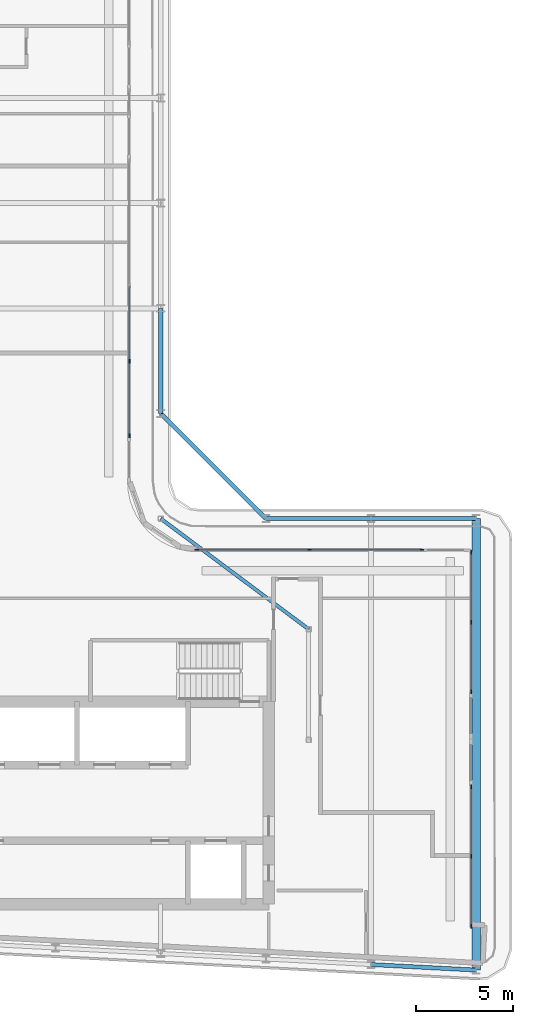
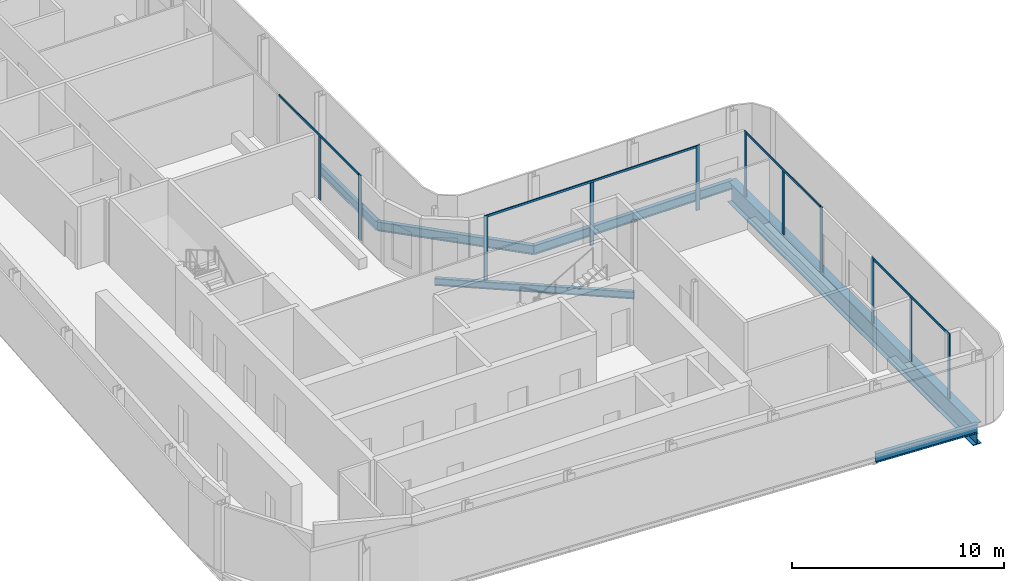
# One storey, part 6 of 21: 15 members, 7 beams, 4 elements without a shape of their own.
"""IFC4 building model written with IfcOpenShell, lengths in metres."""

from ifc_helpers import new_model, si_unit, direction, frame, origin, origin_2d, place, context, subcontext, project, spatial, rectangle, i_section, extrude, material, layer, layer_set, material_profile, profile_set, type_object, element, aggregate, save


model = new_model("IFC4")

# Units and contexts
model_context = context("Model", 3, precision=1e-05, world=origin(), true_north=direction((0.0, 1.0)))
body_context = subcontext(model_context, "Body", "Model", "MODEL_VIEW")
ifc_project = project(units=[si_unit("LENGTHUNIT", "METRE"), si_unit("AREAUNIT", "SQUARE_METRE"), si_unit("VOLUMEUNIT", "CUBIC_METRE"), si_unit("PLANEANGLEUNIT", "RADIAN"), si_unit("MASSUNIT", "GRAM", prefix="KILO")], contexts=[model_context])

# Site, building, storey
site_placement = place(None, origin())
site = spatial("IfcSite", under=ifc_project, at=site_placement, CompositionType="ELEMENT")
building_placement = place(site_placement, origin())
building = spatial("IfcBuilding", under=site, at=building_placement, Name="Kheshtan School and Residences Tower", CompositionType="ELEMENT")
storey_placement = place(building_placement, frame((0.0, 0.0, 278.60009765625)))
storey = spatial("IfcBuildingStorey", under=building, at=storey_placement, Name="L65", CompositionType="ELEMENT", Elevation=278.60009765625)

# Beams
ifc_material_1 = material(Name="Steel ASTM A992 Grade 50", Category="steel")
ifc_material_profile_1 = material_profile(ifc_material_1, i_section(OverallWidth=0.180908203125, OverallDepth=0.4169921875, WebThickness=0.010986328125, FlangeThickness=0.018310546875, FilletRadius=0.012451171875, at=origin_2d()), Name="W410x85")
ifc_profile_set_1 = profile_set([ifc_material_profile_1], Name="Steel ASTM A992 Grade 50")
beam_type_1 = type_object("IfcBeamType", Name="Beam FB3 W410x85 ASTM A992 Grade 50", PredefinedType="BEAM", material=ifc_profile_set_1)
beam_1_placement = place(storey_placement, frame((47.60009765625, 45.60009765625, -0.358642578125), z_axis=(0.800798828004, -0.598933416222, 0.0), x_axis=(0.598933416222, 0.800798828004, 0.0)))
element("IfcBeam", 1, at=beam_1_placement, inside=storey, type_object=beam_type_1, Name="Floor beam IC", PredefinedType="BEAM", context=body_context, shape_type="SweptSolid", body=[
    extrude(i_section(OverallWidth=0.180908203125, OverallDepth=0.4169921875, WebThickness=0.010986328125, FlangeThickness=0.018310546875, FilletRadius=0.012451171875, at=origin_2d()), origin(), (0.0, 0.0, 1.0), 9.490234375),
])
ifc_material_profile_2 = material_profile(ifc_material_1, i_section(OverallWidth=0.208984375, OverallDepth=0.532958984375, WebThickness=0.01025390625, FlangeThickness=0.015625, FilletRadius=0.013916015625, at=origin_2d()), Name="W530x92")
ifc_profile_set_2 = profile_set([ifc_material_profile_2], Name="Steel ASTM A992 Grade 50")
beam_type_2 = type_object("IfcBeamType", Name="Beam SP3 W530x92 ASTM A992 Grade 50", PredefinedType="BEAM", material=ifc_profile_set_2)
beam_2_placement = place(storey_placement, frame((47.60009765625, 56.39990234375, -0.41650390625), z_axis=(0.0, -1.0, 0.0), x_axis=(1.0, 0.0, 0.0)))
element("IfcBeam", 2, at=beam_2_placement, inside=storey, type_object=beam_type_2, Name="Spandrel beam C081-C079", PredefinedType="BEAM", context=body_context, shape_type="SweptSolid", body=[
    extrude(i_section(OverallWidth=0.208984375, OverallDepth=0.532958984375, WebThickness=0.01025390625, FlangeThickness=0.015625, FilletRadius=0.013916015625, at=origin_2d()), origin(), (0.0, 0.0, 1.0), 5.39990234375),
])
beam_3_placement = place(storey_placement, frame((47.60009765625, 51.0, -0.41650390625), z_axis=(0.707106781187, -0.707106781187, 0.0), x_axis=(0.707106781187, 0.707106781187, 0.0)))
element("IfcBeam", 3, at=beam_3_placement, inside=storey, type_object=beam_type_2, Name="Spandrel beam C079-C061", PredefinedType="BEAM", context=body_context, shape_type="SweptSolid", body=[
    extrude(i_section(OverallWidth=0.208984375, OverallDepth=0.532958984375, WebThickness=0.01025390625, FlangeThickness=0.015625, FilletRadius=0.013916015625, at=origin_2d()), origin(), (0.0, 0.0, 1.0), 7.63671875),
])
beam_4_placement = place(storey_placement, frame((53.0, 45.60009765625, -0.41650390625), z_axis=(1.0, 0.0, 0.0), x_axis=(0.0, 1.0, 0.0)))
element("IfcBeam", 4, at=beam_4_placement, inside=storey, type_object=beam_type_2, Name="Spandrel beam C061-C062", PredefinedType="BEAM", context=body_context, shape_type="SweptSolid", body=[
    extrude(i_section(OverallWidth=0.208984375, OverallDepth=0.532958984375, WebThickness=0.01025390625, FlangeThickness=0.015625, FilletRadius=0.013916015625, at=origin_2d()), origin(), (0.0, 0.0, 1.0), 5.39990234375),
])
beam_5_placement = place(storey_placement, frame((58.39990234375, 45.60009765625, -0.41650390625), z_axis=(1.0, 0.0, 0.0), x_axis=(0.0, 1.0, 0.0)))
element("IfcBeam", 5, at=beam_5_placement, inside=storey, type_object=beam_type_2, Name="Spandrel beam C062-C063", PredefinedType="BEAM", context=body_context, shape_type="SweptSolid", body=[
    extrude(i_section(OverallWidth=0.208984375, OverallDepth=0.532958984375, WebThickness=0.01025390625, FlangeThickness=0.015625, FilletRadius=0.013916015625, at=origin_2d()), origin(), (0.0, 0.0, 1.0), 5.400146484375),
])
beam_6_placement = place(storey_placement, frame((63.800048828125, 22.410888671875, -0.41650390625), z_axis=(-0.998618203458, 0.052551724256, 0.0), x_axis=(-0.052551724256, -0.998618203458, 0.0)))
element("IfcBeam", 6, at=beam_6_placement, inside=storey, type_object=beam_type_2, Name="Spandrel beam C016-C018", PredefinedType="BEAM", context=body_context, shape_type="SweptSolid", body=[
    extrude(i_section(OverallWidth=0.208984375, OverallDepth=0.532958984375, WebThickness=0.01025390625, FlangeThickness=0.015625, FilletRadius=0.013916015625, at=origin_2d()), origin(), (0.0, 0.0, 1.0), 5.40771484375),
])

# Curtain wall, members
ifc_material_2 = material(Name="Clear low-e glass in thermally broken aluminium frame", Category="aluminium")
ifc_layer = layer(ifc_material_2, 0.199951171875)
ifc_layer_set = layer_set([ifc_layer], Name="Curtain wall CW-L")
curtain_wall_type = type_object("IfcCurtainWallType", Name="Curtain wall CW-L", PredefinedType="NOTDEFINED", material=ifc_layer_set)
curtain_wall_1_placement = place(storey_placement, origin())
curtain_wall_1 = element("IfcCurtainWall", 7, at=curtain_wall_1_placement, inside=storey, type_object=curtain_wall_type, Name="Curtain wall CWL8", PredefinedType="NOTDEFINED")
ifc_material_3 = material(Name="Thermally broken aluminium, dark bronze anodised", Category="aluminium")
ifc_material_profile_3 = material_profile(ifc_material_3, rectangle(XDim=0.06005859375, YDim=0.199951171875, at=origin_2d()), Name="CW-L mullion 60x200")
ifc_profile_set_3 = profile_set([ifc_material_profile_3], Name="Thermally broken aluminium, dark bronze anodised")
member_type_1 = type_object("IfcMemberType", Name="CW-L mullion 60x200", PredefinedType="MULLION", material=ifc_profile_set_3)
member_1_placement = place(storey_placement, frame((46.0, 53.677001953125, 0.0), z_axis=(0.0, 0.0, 1.0), x_axis=(1.0, 0.0, 0.0)))
member_1 = element("IfcMember", 8, at=member_1_placement, type_object=member_type_1, Name="CWL8 mullion 2", PredefinedType="MULLION", context=body_context, shape_type="SweptSolid", body=[
    extrude(rectangle(XDim=0.06005859375, YDim=0.199951171875, at=origin_2d()), origin(), (0.0, 0.0, 1.0), 3.6298828125),
])
member_2_placement = place(storey_placement, frame((46.0, 49.860107421875, 0.0), z_axis=(0.0, 0.0, 1.0), x_axis=(1.0, 0.0, 0.0)))
member_2 = element("IfcMember", 9, at=member_2_placement, type_object=member_type_1, Name="CWL8 mullion 3", PredefinedType="MULLION", context=body_context, shape_type="SweptSolid", body=[
    extrude(rectangle(XDim=0.06005859375, YDim=0.199951171875, at=origin_2d()), origin(), (0.0, 0.0, 1.0), 3.75),
])

curtain_wall_2_placement = place(storey_placement, origin())
curtain_wall_2 = element("IfcCurtainWall", 10, at=curtain_wall_2_placement, inside=storey, type_object=curtain_wall_type, Name="Curtain wall CWL1232", PredefinedType="NOTDEFINED")
member_3_placement = place(storey_placement, frame((49.4599609375, 44.0, 0.0), z_axis=(0.0, 0.0, 1.0), x_axis=(0.0, 1.0, 0.0)))
member_3 = element("IfcMember", 11, at=member_3_placement, type_object=member_type_1, Name="CWL1232 mullion 1", PredefinedType="MULLION", context=body_context, shape_type="SweptSolid", body=[
    extrude(rectangle(XDim=0.06005859375, YDim=0.199951171875, at=origin_2d()), origin(), (0.0, 0.0, 1.0), 3.75),
])
member_4_placement = place(storey_placement, frame((55.239990234375, 44.0, 0.0), z_axis=(0.0, 0.0, 1.0), x_axis=(0.0, 1.0, 0.0)))
member_4 = element("IfcMember", 12, at=member_4_placement, type_object=member_type_1, Name="CWL1232 mullion 2", PredefinedType="MULLION", context=body_context, shape_type="SweptSolid", body=[
    extrude(rectangle(XDim=0.06005859375, YDim=0.199951171875, at=origin_2d()), origin(), (0.0, 0.0, 1.0), 3.6298828125),
])
member_5_placement = place(storey_placement, frame((61.02001953125, 44.0, 0.0), z_axis=(0.0, 0.0, 1.0), x_axis=(0.0, 1.0, 0.0)))
member_5 = element("IfcMember", 13, at=member_5_placement, type_object=member_type_1, Name="CWL1232 mullion 3", PredefinedType="MULLION", context=body_context, shape_type="SweptSolid", body=[
    extrude(rectangle(XDim=0.06005859375, YDim=0.199951171875, at=origin_2d()), origin(), (0.0, 0.0, 1.0), 3.75),
])

curtain_wall_3_placement = place(storey_placement, origin())
curtain_wall_3 = element("IfcCurtainWall", 14, at=curtain_wall_3_placement, inside=storey, type_object=curtain_wall_type, Name="Curtain wall CWL13d", PredefinedType="NOTDEFINED")
member_6_placement = place(storey_placement, frame((63.550048828125, 43.8701171875, 0.0), z_axis=(0.0, 0.0, 1.0), x_axis=(1.0, 0.0, 0.0)))
member_6 = element("IfcMember", 15, at=member_6_placement, type_object=member_type_1, Name="CWL13d mullion 1", PredefinedType="MULLION", context=body_context, shape_type="SweptSolid", body=[
    extrude(rectangle(XDim=0.06005859375, YDim=0.199951171875, at=origin_2d()), origin(), (0.0, 0.0, 1.0), 3.75),
])
member_7_placement = place(storey_placement, frame((63.550048828125, 40.283203125, 0.0), z_axis=(0.0, 0.0, 1.0), x_axis=(1.0, 0.0, 0.0)))
member_7 = element("IfcMember", 16, at=member_7_placement, type_object=member_type_1, Name="CWL13d mullion 2", PredefinedType="MULLION", context=body_context, shape_type="SweptSolid", body=[
    extrude(rectangle(XDim=0.06005859375, YDim=0.199951171875, at=origin_2d()), origin(), (0.0, 0.0, 1.0), 3.6298828125),
])
member_8_placement = place(storey_placement, frame((63.550048828125, 36.696533203125, 0.0), z_axis=(0.0, 0.0, 1.0), x_axis=(1.0, 0.0, 0.0)))
member_8 = element("IfcMember", 17, at=member_8_placement, type_object=member_type_1, Name="CWL13d mullion 3", PredefinedType="MULLION", context=body_context, shape_type="SweptSolid", body=[
    extrude(rectangle(XDim=0.06005859375, YDim=0.199951171875, at=origin_2d()), origin(), (0.0, 0.0, 1.0), 3.75),
])

curtain_wall_4_placement = place(storey_placement, origin())
curtain_wall_4 = element("IfcCurtainWall", 18, at=curtain_wall_4_placement, inside=storey, type_object=curtain_wall_type, Name="Curtain wall CWL13d", PredefinedType="NOTDEFINED")
member_9_placement = place(storey_placement, frame((63.550048828125, 31.83642578125, 0.0), z_axis=(0.0, 0.0, 1.0), x_axis=(1.0, 0.0, 0.0)))
member_9 = element("IfcMember", 19, at=member_9_placement, type_object=member_type_1, Name="CWL13d mullion 1", PredefinedType="MULLION", context=body_context, shape_type="SweptSolid", body=[
    extrude(rectangle(XDim=0.06005859375, YDim=0.199951171875, at=origin_2d()), origin(), (0.0, 0.0, 1.0), 3.75),
])
member_10_placement = place(storey_placement, frame((63.550048828125, 28.249755859375, 0.0), z_axis=(0.0, 0.0, 1.0), x_axis=(1.0, 0.0, 0.0)))
member_10 = element("IfcMember", 20, at=member_10_placement, type_object=member_type_1, Name="CWL13d mullion 2", PredefinedType="MULLION", context=body_context, shape_type="SweptSolid", body=[
    extrude(rectangle(XDim=0.06005859375, YDim=0.199951171875, at=origin_2d()), origin(), (0.0, 0.0, 1.0), 3.6298828125),
])
member_11_placement = place(storey_placement, frame((63.550048828125, 24.6630859375, 0.0), z_axis=(0.0, 0.0, 1.0), x_axis=(1.0, 0.0, 0.0)))
member_11 = element("IfcMember", 21, at=member_11_placement, type_object=member_type_1, Name="CWL13d mullion 3", PredefinedType="MULLION", context=body_context, shape_type="SweptSolid", body=[
    extrude(rectangle(XDim=0.06005859375, YDim=0.199951171875, at=origin_2d()), origin(), (0.0, 0.0, 1.0), 3.75),
])

# Member
ifc_material_profile_4 = material_profile(ifc_material_3, rectangle(XDim=0.06005859375, YDim=0.1201171875, at=origin_2d()), Name="CW-L transom 60x120")
ifc_profile_set_4 = profile_set([ifc_material_profile_4], Name="Thermally broken aluminium, dark bronze anodised")
member_type_2 = type_object("IfcMemberType", Name="CW-L transom 60x120", PredefinedType="USERDEFINED", material=ifc_profile_set_4)
member_12_placement = place(storey_placement, frame((46.0, 57.52392578125, 3.68994140625), z_axis=(0.0, -1.0, 0.0), x_axis=(1.0, 0.0, 0.0)))
member_12 = element("IfcMember", 22, at=member_12_placement, type_object=member_type_2, Name="CWL8 transom 1", ObjectType="TRANSOM", PredefinedType="USERDEFINED", context=body_context, shape_type="SweptSolid", body=[
    extrude(rectangle(XDim=0.06005859375, YDim=0.1201171875, at=origin_2d()), origin(), (0.0, 0.0, 1.0), 7.634033203125),
])

aggregate(curtain_wall_1, [member_1, member_2, member_12])

member_13_placement = place(storey_placement, frame((49.489990234375, 44.0, 3.68994140625), z_axis=(1.0, 0.0, 0.0), x_axis=(0.0, 1.0, 0.0)))
member_13 = element("IfcMember", 23, at=member_13_placement, type_object=member_type_2, Name="CWL1232 transom 1", ObjectType="TRANSOM", PredefinedType="USERDEFINED", context=body_context, shape_type="SweptSolid", body=[
    extrude(rectangle(XDim=0.06005859375, YDim=0.1201171875, at=origin_2d()), origin(), (0.0, 0.0, 1.0), 11.5),
])

aggregate(curtain_wall_2, [member_3, member_4, member_5, member_13])

member_14_placement = place(storey_placement, frame((63.550048828125, 43.840087890625, 3.68994140625), z_axis=(0.0, -1.0, 0.0), x_axis=(1.0, 0.0, 0.0)))
member_14 = element("IfcMember", 24, at=member_14_placement, type_object=member_type_2, Name="CWL13d transom 1", ObjectType="TRANSOM", PredefinedType="USERDEFINED", context=body_context, shape_type="SweptSolid", body=[
    extrude(rectangle(XDim=0.06005859375, YDim=0.1201171875, at=origin_2d()), origin(), (0.0, 0.0, 1.0), 7.113525390625),
])

aggregate(curtain_wall_3, [member_6, member_7, member_8, member_14])

member_15_placement = place(storey_placement, frame((63.550048828125, 31.806396484375, 3.68994140625), z_axis=(0.0, -1.0, 0.0), x_axis=(1.0, 0.0, 0.0)))
member_15 = element("IfcMember", 25, at=member_15_placement, type_object=member_type_2, Name="CWL13d transom 1", ObjectType="TRANSOM", PredefinedType="USERDEFINED", context=body_context, shape_type="SweptSolid", body=[
    extrude(rectangle(XDim=0.06005859375, YDim=0.1201171875, at=origin_2d()), origin(), (0.0, 0.0, 1.0), 7.11328125),
])

aggregate(curtain_wall_4, [member_9, member_10, member_11, member_15])

# Beam
ifc_material_profile_5 = material_profile(ifc_material_1, i_section(OverallWidth=0.449951171875, OverallDepth=1.25, WebThickness=0.02490234375, FlangeThickness=0.044921875, FilletRadius=0.03759765625, at=origin_2d()), Name="WWF1250x546")
ifc_profile_set_5 = profile_set([ifc_material_profile_5], Name="Steel ASTM A992 Grade 50")
beam_type_3 = type_object("IfcBeamType", Name="Transfer girder TG4 WWF1250x546 ASTM A992 Grade 50", PredefinedType="BEAM", material=ifc_profile_set_5)
beam_7_placement = place(storey_placement, frame((63.800048828125, 45.60009765625, -0.775146484375), z_axis=(0.0, -1.0, 0.0), x_axis=(1.0, 0.0, 0.0)))
element("IfcBeam", 26, at=beam_7_placement, inside=storey, type_object=beam_type_3, Name="Transfer girder C063-C016", PredefinedType="BEAM", context=body_context, shape_type="SweptSolid", body=[
    extrude(i_section(OverallWidth=0.449951171875, OverallDepth=1.25, WebThickness=0.02490234375, FlangeThickness=0.044921875, FilletRadius=0.03759765625, at=origin_2d()), origin(), (0.0, 0.0, 1.0), 23.189208984375),
])

save(model, "model.ifc")
